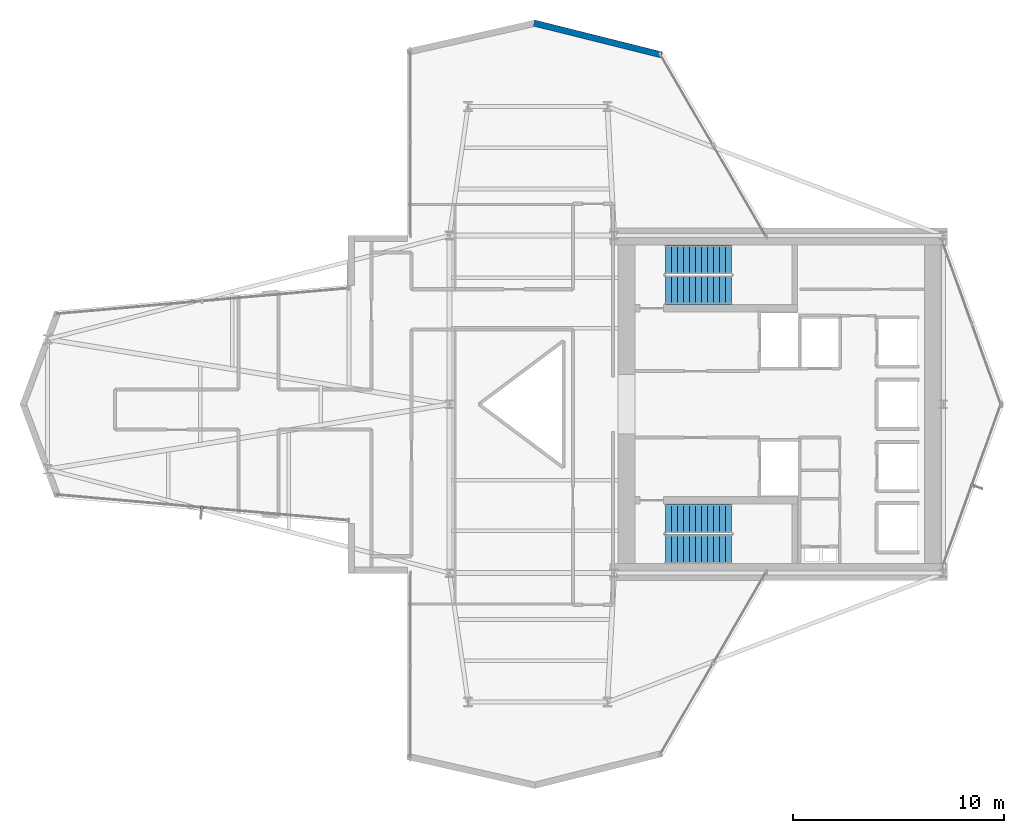
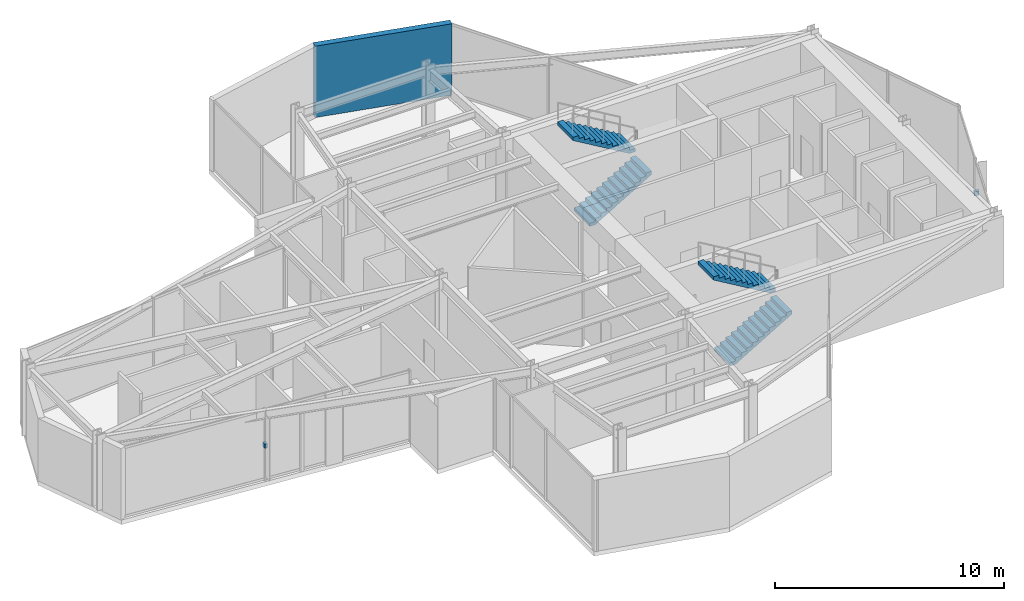
# One storey, part 24 of 25: 4 stair flights, 2 discrete accessories, 1 wall, 2 elements without a shape of their own.
"""IFC4 building model written with IfcOpenShell, lengths in metres."""

from ifc_helpers import new_model, si_unit, direction, frame, frame_2d, origin, origin_2d, place, context, subcontext, project, spatial, polyline, rectangle, outline, extrude, material, layer, layer_set, type_object, element, aggregate, save


model = new_model("IFC4")

# Units and contexts
model_context = context("Model", 3, precision=1e-05, world=origin(), true_north=direction((0.0, 1.0)))
body_context = subcontext(model_context, "Body", "Model", "MODEL_VIEW")
ifc_project = project(units=[si_unit("LENGTHUNIT", "METRE"), si_unit("AREAUNIT", "SQUARE_METRE"), si_unit("VOLUMEUNIT", "CUBIC_METRE"), si_unit("PLANEANGLEUNIT", "RADIAN"), si_unit("MASSUNIT", "GRAM", prefix="KILO")], contexts=[model_context])

# Site, building, storey
site_placement = place(None, origin())
site = spatial("IfcSite", under=ifc_project, at=site_placement, CompositionType="ELEMENT")
building_placement = place(site_placement, origin())
building = spatial("IfcBuilding", under=site, at=building_placement, Name="Veymaron Broadcast Tower", CompositionType="ELEMENT")
storey_placement = place(building_placement, frame((0.0, 0.0, 169.5)))
storey = spatial("IfcBuildingStorey", under=building, at=storey_placement, Name="L39", CompositionType="ELEMENT", Elevation=169.5)

# Wall
ifc_material_1 = material(Name="Precast concrete C40/50 with mineral-wool insulation", Category="concrete")
ifc_layer_1 = layer(ifc_material_1, 0.300048828125)
ifc_layer_set_1 = layer_set([ifc_layer_1], Name="Precast concrete C40/50 with mineral-wool insulation")
wall_type = type_object("IfcWallType", Name="WALL-EXT-300", PredefinedType="STANDARD", material=ifc_layer_set_1)
wall_placement = place(storey_placement, frame((41.254150390625, 40.55810546875, 0.0), z_axis=(0.0, 0.0, 1.0), x_axis=(-0.970319679145, 0.241825805619, 0.0)))
element("IfcWall", 1, at=wall_placement, inside=storey, type_object=wall_type, Name="L39 notched corner facade pier 6-1", PredefinedType="STANDARD", context=body_context, shape_type="SweptSolid", body=[
    extrude(rectangle(XDim=6.232177734375, YDim=0.300048828125, at=frame_2d((3.1162109375, 0.0))), origin(), (0.0, 0.0, 1.0), 3.81005859375),
])

# Stair, stair flights
ifc_material_2 = material(Name="Concrete C50/60", Category="concrete")
stair_type_1 = type_object("IfcStairType", Name="STAIR-CORE-1", PredefinedType="HALF_TURN_STAIR", material=ifc_material_2)
stair_1_placement = place(storey_placement, origin())
stair_1 = element("IfcStair", 2, at=stair_1_placement, inside=storey, type_object=stair_type_1, Name="L39 North protected dog-leg exit stair ST1", PredefinedType="HALF_TURN_STAIR")
ifc_material_3 = material(Name="Precast concrete C50/60", Category="concrete")
stair_flight_type = type_object("IfcStairFlightType", Name="FLT-CORE-RC", PredefinedType="STRAIGHT", material=ifc_material_3)
stair_flight_1_placement = place(storey_placement, frame((41.429931640625, 29.419921875, 0.0), z_axis=(0.0, 0.0, 1.0), x_axis=(1.0, 0.0, 0.0)))
stair_flight_1 = element("IfcStairFlight", 3, at=stair_flight_1_placement, type_object=stair_flight_type, Name="ST1 flight 1", NumberOfRisers=12, NumberOfTreads=11, PredefinedType="STRAIGHT", RiserHeight=0.16875, TreadLength=0.285, context=body_context, shape_type="SweptSolid", body=[
    extrude(outline(polyline([(0.0, 0.0), (0.0, 0.168701171875), (0.284912109375, 0.168701171875), (0.284912109375, 0.33740234375), (0.570068359375, 0.33740234375), (0.570068359375, 0.50634765625), (0.85498046875, 0.50634765625), (0.85498046875, 0.675048828125), (1.139892578125, 0.675048828125), (1.139892578125, 0.84375), (1.425048828125, 0.84375), (1.425048828125, 1.012451171875), (1.7099609375, 1.012451171875), (1.7099609375, 1.18115234375), (1.9951171875, 1.18115234375), (1.9951171875, 1.35009765625), (2.280029296875, 1.35009765625), (2.280029296875, 1.518798828125), (2.56494140625, 1.518798828125), (2.56494140625, 1.6875), (2.85009765625, 1.6875), (2.85009765625, 1.856201171875), (3.135009765625, 1.856201171875), (3.135009765625, 2.02490234375), (3.135009765625, 1.68212890625), (0.294189453125, 0.0), (0.0, 0.0)])), frame((0.0, 0.68994140625, 0.0), z_axis=(0.0, -1.0, 0.0), x_axis=(1.0, 0.0, 0.0)), (0.0, 0.0, 1.0), 1.3798828125),
])
stair_flight_2_placement = place(storey_placement, frame((44.56494140625, 30.860107421875, 2.02490234375), z_axis=(0.0, 0.0, 1.0), x_axis=(-1.0, 0.0, 0.0)))
stair_flight_2 = element("IfcStairFlight", 4, at=stair_flight_2_placement, type_object=stair_flight_type, Name="ST1 flight 2", NumberOfRisers=12, NumberOfTreads=11, PredefinedType="STRAIGHT", RiserHeight=0.16875, TreadLength=0.285, context=body_context, shape_type="SweptSolid", body=[
    extrude(outline(polyline([(0.0, 0.0), (0.0, 0.168701171875), (0.284912109375, 0.168701171875), (0.284912109375, 0.33740234375), (0.570068359375, 0.33740234375), (0.570068359375, 0.50634765625), (0.85498046875, 0.50634765625), (0.85498046875, 0.675048828125), (1.139892578125, 0.675048828125), (1.139892578125, 0.84375), (1.425048828125, 0.84375), (1.425048828125, 1.012451171875), (1.7099609375, 1.012451171875), (1.7099609375, 1.18115234375), (1.9951171875, 1.18115234375), (1.9951171875, 1.35009765625), (2.280029296875, 1.35009765625), (2.280029296875, 1.518798828125), (2.56494140625, 1.518798828125), (2.56494140625, 1.6875), (2.85009765625, 1.6875), (2.85009765625, 1.856201171875), (3.135009765625, 1.856201171875), (3.135009765625, 2.02490234375), (3.135009765625, 1.68212890625), (0.294189453125, 0.0), (0.0, 0.0)])), frame((0.0, 0.68994140625, 0.0), z_axis=(0.0, -1.0, 0.0), x_axis=(1.0, 0.0, 0.0)), (0.0, 0.0, 1.0), 1.3798828125),
])
aggregate(stair_1, [stair_flight_1, stair_flight_2])

stair_type_2 = type_object("IfcStairType", Name="STAIR-CORE-2", PredefinedType="HALF_TURN_STAIR", material=ifc_material_2)
stair_2_placement = place(storey_placement, origin())
stair_2 = element("IfcStair", 5, at=stair_2_placement, inside=storey, type_object=stair_type_2, Name="L39 South protected dog-leg exit stair ST2", PredefinedType="HALF_TURN_STAIR")
stair_flight_3_placement = place(storey_placement, frame((41.429931640625, 17.139892578125, 0.0), z_axis=(0.0, 0.0, 1.0), x_axis=(1.0, 0.0, 0.0)))
stair_flight_3 = element("IfcStairFlight", 6, at=stair_flight_3_placement, type_object=stair_flight_type, Name="ST2 flight 1", NumberOfRisers=12, NumberOfTreads=11, PredefinedType="STRAIGHT", RiserHeight=0.16875, TreadLength=0.285, context=body_context, shape_type="SweptSolid", body=[
    extrude(outline(polyline([(0.0, 0.0), (0.0, 0.168701171875), (0.284912109375, 0.168701171875), (0.284912109375, 0.33740234375), (0.570068359375, 0.33740234375), (0.570068359375, 0.50634765625), (0.85498046875, 0.50634765625), (0.85498046875, 0.675048828125), (1.139892578125, 0.675048828125), (1.139892578125, 0.84375), (1.425048828125, 0.84375), (1.425048828125, 1.012451171875), (1.7099609375, 1.012451171875), (1.7099609375, 1.18115234375), (1.9951171875, 1.18115234375), (1.9951171875, 1.35009765625), (2.280029296875, 1.35009765625), (2.280029296875, 1.518798828125), (2.56494140625, 1.518798828125), (2.56494140625, 1.6875), (2.85009765625, 1.6875), (2.85009765625, 1.856201171875), (3.135009765625, 1.856201171875), (3.135009765625, 2.02490234375), (3.135009765625, 1.68212890625), (0.294189453125, 0.0), (0.0, 0.0)])), frame((0.0, 0.68994140625, 0.0), z_axis=(0.0, -1.0, 0.0), x_axis=(1.0, 0.0, 0.0)), (0.0, 0.0, 1.0), 1.3798828125),
])
stair_flight_4_placement = place(storey_placement, frame((44.56494140625, 18.580078125, 2.02490234375), z_axis=(0.0, 0.0, 1.0), x_axis=(-1.0, 0.0, 0.0)))
stair_flight_4 = element("IfcStairFlight", 7, at=stair_flight_4_placement, type_object=stair_flight_type, Name="ST2 flight 2", NumberOfRisers=12, NumberOfTreads=11, PredefinedType="STRAIGHT", RiserHeight=0.16875, TreadLength=0.285, context=body_context, shape_type="SweptSolid", body=[
    extrude(outline(polyline([(0.0, 0.0), (0.0, 0.168701171875), (0.284912109375, 0.168701171875), (0.284912109375, 0.33740234375), (0.570068359375, 0.33740234375), (0.570068359375, 0.50634765625), (0.85498046875, 0.50634765625), (0.85498046875, 0.675048828125), (1.139892578125, 0.675048828125), (1.139892578125, 0.84375), (1.425048828125, 0.84375), (1.425048828125, 1.012451171875), (1.7099609375, 1.012451171875), (1.7099609375, 1.18115234375), (1.9951171875, 1.18115234375), (1.9951171875, 1.35009765625), (2.280029296875, 1.35009765625), (2.280029296875, 1.518798828125), (2.56494140625, 1.518798828125), (2.56494140625, 1.6875), (2.85009765625, 1.6875), (2.85009765625, 1.856201171875), (3.135009765625, 1.856201171875), (3.135009765625, 2.02490234375), (3.135009765625, 1.68212890625), (0.294189453125, 0.0), (0.0, 0.0)])), frame((0.0, 0.68994140625, 0.0), z_axis=(0.0, -1.0, 0.0), x_axis=(1.0, 0.0, 0.0)), (0.0, 0.0, 1.0), 1.3798828125),
])
aggregate(stair_2, [stair_flight_3, stair_flight_4])

# Discrete accessories
ifc_material_4 = material(Name="Austenitic stainless steel AISI 316L", Category="steel")
ifc_layer_2 = layer(ifc_material_4, 0.1201171875)
ifc_layer_set_2 = layer_set([ifc_layer_2], Name="Austenitic stainless steel AISI 316L")
discrete_accessory_type = type_object("IfcDiscreteAccessoryType", Name="ACC-BRKT-SS1", PredefinedType="BRACKET", material=ifc_layer_set_2)
for number, where, z_axis, x_axis, name in (
    (8, (56.008544921875, 20.15283203125, 1.794921875), (0.0, 0.0, 1.0), (0.94099895347, -0.338409470269, 0.0), "CW-L39-E2-1 fin bracket 1"),
    (9, (19.4609375, 19.05078125, 1.794921875), (0.0, 0.0, 1.0), (-0.087381769909, -0.996174897439, 0.0), "CW-L39-E14-1 fin bracket 1"),
):
    element("IfcDiscreteAccessory", number, at=place(storey_placement, frame(where, z_axis=z_axis, x_axis=x_axis)), inside=storey, type_object=discrete_accessory_type, Name=name, PredefinedType="BRACKET", context=body_context, shape_type="SweptSolid", body=[
        extrude(rectangle(XDim=0.219970703125, YDim=0.139892578125, at=origin_2d()), origin(), (0.0, 0.0, 1.0), 0.219970703125),
    ])

save(model, "model.ifc")
